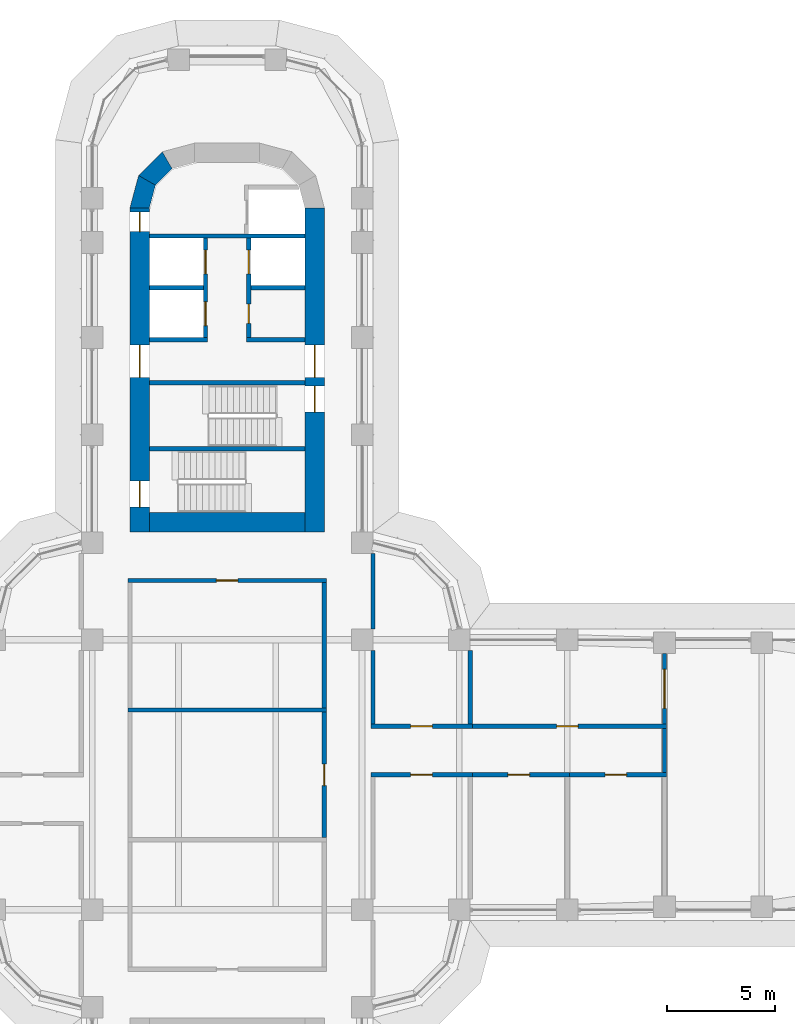
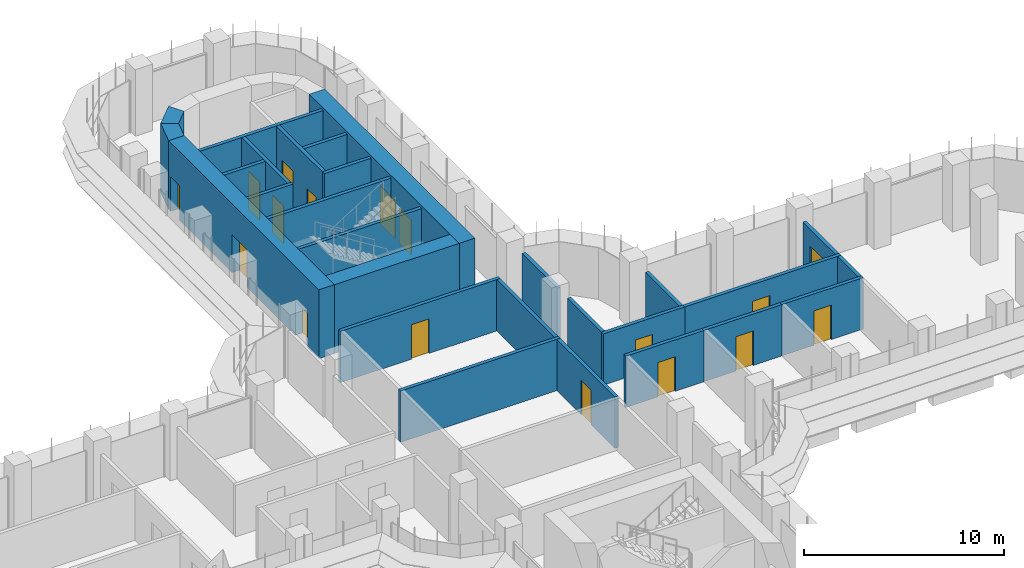
# One storey, part 18 of 23: 28 walls, 17 doors, 17 openings.
"""IFC4 building model written with IfcOpenShell, lengths in metres."""

from ifc_helpers import new_model, si_unit, direction, frame, frame_2d, origin, place, context, subcontext, project, spatial, polyline, rectangle, outline, extrude, material, layer, layer_set, type_object, element, fill, save


model = new_model("IFC4")

# Units and contexts
model_context = context("Model", 3, precision=1e-05, world=origin(), true_north=direction((0.0, 1.0)))
body_context = subcontext(model_context, "Body", "Model", "MODEL_VIEW")
ifc_project = project(units=[si_unit("LENGTHUNIT", "METRE"), si_unit("AREAUNIT", "SQUARE_METRE"), si_unit("VOLUMEUNIT", "CUBIC_METRE"), si_unit("PLANEANGLEUNIT", "RADIAN"), si_unit("MASSUNIT", "GRAM", prefix="KILO")], contexts=[model_context])

# Site, building, storey
site_placement = place(None, origin())
site = spatial("IfcSite", under=ifc_project, at=site_placement, CompositionType="ELEMENT")
building_placement = place(site_placement, origin())
building = spatial("IfcBuilding", under=site, at=building_placement, Name="Zarbagh Exchange Tower", CompositionType="ELEMENT")
storey_placement = place(building_placement, frame((0.0, 0.0, 35.39990234375)))
storey = spatial("IfcBuildingStorey", under=building, at=storey_placement, Name="L07", CompositionType="ELEMENT", Elevation=35.39990234375)

# Wall
ifc_material_1 = material(Name="Fire-rated plasterboard partition")
ifc_layer_1 = layer(ifc_material_1, 0.199951171875)
ifc_layer_set_1 = layer_set([ifc_layer_1], Name="RATED PARTITION 200")
wall_type_1 = type_object("IfcWallType", Name="RATED PARTITION 200", PredefinedType="PARTITIONING", material=ifc_layer_set_1)
wall_1_placement = place(storey_placement, frame((4.5, 3.10009765625, 0.0), z_axis=(0.0, 0.0, 1.0), x_axis=(0.0, 1.0, 0.0)))
element("IfcWall", 1, at=wall_1_placement, inside=storey, type_object=wall_type_1, Name="Partition W-208", PredefinedType="PARTITIONING", context=body_context, shape_type="SweptSolid", body=[
    extrude(rectangle(XDim=5.7998046875, YDim=0.199951171875, at=frame_2d((2.89990234375, 0.0))), origin(), (0.0, 0.0, 1.0), 3.130615234375),
])

# Wall, opening, door
wall_2_placement = place(storey_placement, frame((4.5, -2.89990234375, 0.0), z_axis=(0.0, 0.0, 1.0), x_axis=(0.0, 1.0, 0.0)))
wall_2 = element("IfcWall", 2, at=wall_2_placement, inside=storey, type_object=wall_type_1, Name="Partition W-209", PredefinedType="PARTITIONING", context=body_context, shape_type="SweptSolid", body=[
    extrude(rectangle(XDim=5.7998046875, YDim=0.199951171875, at=frame_2d((2.89990234375, 0.0))), origin(), (0.0, 0.0, 1.0), 3.130615234375),
])
opening_1_placement = place(wall_2_placement, frame((2.39990234375, 0.0, 0.0)))
opening_1 = element("IfcOpeningElement", 3, at=opening_1_placement, cuts=wall_2, Name="Opening D-201", PredefinedType="OPENING", context=body_context, shape_type="SweptSolid", body=[
    extrude(rectangle(XDim=1.0, YDim=2.10009765625, at=frame_2d((0.5, 1.050048828125))), frame((0.0, 0.10986328125, 0.0), z_axis=(0.0, -1.0, 0.0), x_axis=(1.0, 0.0, 0.0)), (0.0, 0.0, 1.0), 0.219970703125),
])
ifc_material_2 = material(Name="Steel door set", Category="steel")
door_type_1 = type_object("IfcDoorType", Name="FIRE DOOR 1000 X 2100 FD30S", OperationType="NOTDEFINED", PredefinedType="DOOR", material=ifc_material_2)
door_1_placement = place(opening_1_placement, origin())
door_1 = element("IfcDoor", 4, at=door_1_placement, inside=storey, type_object=door_type_1, Name="Door D-201", OperationType="SINGLE_SWING_RIGHT", OverallHeight=2.10009765625, OverallWidth=1.0, PredefinedType="DOOR", context=body_context, shape_type="SweptSolid", body=[
    extrude(rectangle(XDim=1.0, YDim=2.10009765625, at=frame_2d((0.5, 1.050048828125))), frame((0.0, 0.02490234375, 0.0), z_axis=(0.0, -1.0, 0.0), x_axis=(1.0, 0.0, 0.0)), (0.0, 0.0, 1.0), 0.050048828125),
])
fill(opening_1, door_1)

# Walls
wall_3_placement = place(storey_placement, frame((6.75, 2.35009765625, 0.0), z_axis=(0.0, 0.0, 1.0), x_axis=(0.0, 1.0, 0.0)))
element("IfcWall", 5, at=wall_3_placement, inside=storey, type_object=wall_type_1, Name="Partition W-211", PredefinedType="PARTITIONING", context=body_context, shape_type="SweptSolid", body=[
    extrude(rectangle(XDim=3.39990234375, YDim=0.199951171875, at=frame_2d((1.699951171875, 0.0))), origin(), (0.0, 0.0, 1.0), 3.130615234375),
])
wall_4_placement = place(storey_placement, frame((6.75, 6.75, 0.0), z_axis=(0.0, 0.0, 1.0), x_axis=(0.0, 1.0, 0.0)))
element("IfcWall", 6, at=wall_4_placement, inside=storey, type_object=wall_type_1, Name="Partition W-212", PredefinedType="PARTITIONING", context=body_context, shape_type="SweptSolid", body=[
    extrude(rectangle(XDim=3.5, YDim=0.199951171875, at=frame_2d((1.75, 0.0))), origin(), (0.0, 0.0, 1.0), 3.130615234375),
])

# Wall, opening, door
wall_5_placement = place(storey_placement, frame((4.60009765625, 9.0, 0.0), z_axis=(0.0, 0.0, 1.0), x_axis=(-1.0, 0.0, 0.0)))
wall_5 = element("IfcWall", 7, at=wall_5_placement, inside=storey, type_object=wall_type_1, Name="Partition W-215", PredefinedType="PARTITIONING", context=body_context, shape_type="SweptSolid", body=[
    extrude(rectangle(XDim=9.2001953125, YDim=0.199951171875, at=frame_2d((4.60009765625, 0.0))), origin(), (0.0, 0.0, 1.0), 3.130615234375),
])
opening_2_placement = place(wall_5_placement, frame((4.10009765625, 0.0, 0.0)))
opening_2 = element("IfcOpeningElement", 8, at=opening_2_placement, cuts=wall_5, Name="Opening D-202", PredefinedType="OPENING", context=body_context, shape_type="SweptSolid", body=[
    extrude(rectangle(XDim=1.0, YDim=2.10009765625, at=frame_2d((0.5, 1.050048828125))), frame((0.0, 0.10986328125, 0.0), z_axis=(0.0, -1.0, 0.0), x_axis=(1.0, 0.0, 0.0)), (0.0, 0.0, 1.0), 0.219970703125),
])
door_2_placement = place(opening_2_placement, origin())
door_2 = element("IfcDoor", 9, at=door_2_placement, inside=storey, type_object=door_type_1, Name="Door D-202", OperationType="SINGLE_SWING_RIGHT", OverallHeight=2.10009765625, OverallWidth=1.0, PredefinedType="DOOR", context=body_context, shape_type="SweptSolid", body=[
    extrude(rectangle(XDim=1.0, YDim=2.10009765625, at=frame_2d((0.5, 1.050048828125))), frame((0.0, 0.02490234375, 0.0), z_axis=(0.0, -1.0, 0.0), x_axis=(1.0, 0.0, 0.0)), (0.0, 0.0, 1.0), 0.050048828125),
])
fill(opening_2, door_2)

# Wall
wall_6_placement = place(storey_placement, frame((-4.60009765625, 3.0, 0.0), z_axis=(0.0, 0.0, 1.0), x_axis=(1.0, 0.0, 0.0)))
element("IfcWall", 10, at=wall_6_placement, inside=storey, type_object=wall_type_1, Name="Partition W-217", PredefinedType="PARTITIONING", context=body_context, shape_type="SweptSolid", body=[
    extrude(rectangle(XDim=9.2001953125, YDim=0.199951171875, at=frame_2d((4.60009765625, 0.0))), origin(), (0.0, 0.0, 1.0), 3.130615234375),
])

# Wall, opening, door
wall_7_placement = place(storey_placement, frame((6.64990234375, 2.25, 0.0), z_axis=(0.0, 0.0, 1.0), x_axis=(1.0, 0.0, 0.0)))
wall_7 = element("IfcWall", 11, at=wall_7_placement, inside=storey, type_object=wall_type_1, Name="Partition W-219", PredefinedType="PARTITIONING", context=body_context, shape_type="SweptSolid", body=[
    extrude(rectangle(XDim=4.7001953125, YDim=0.199951171875, at=frame_2d((2.35009765625, 0.0))), origin(), (0.0, 0.0, 1.0), 3.130615234375),
])
opening_3_placement = place(wall_7_placement, frame((1.85009765625, 0.0, 0.0)))
opening_3 = element("IfcOpeningElement", 12, at=opening_3_placement, cuts=wall_7, Name="Opening D-205", PredefinedType="OPENING", context=body_context, shape_type="SweptSolid", body=[
    extrude(rectangle(XDim=1.0, YDim=2.10009765625, at=frame_2d((0.5, 1.050048828125))), frame((0.0, 0.10986328125, 0.0), z_axis=(0.0, -1.0, 0.0), x_axis=(1.0, 0.0, 0.0)), (0.0, 0.0, 1.0), 0.219970703125),
])
door_3_placement = place(opening_3_placement, origin())
door_3 = element("IfcDoor", 13, at=door_3_placement, inside=storey, type_object=door_type_1, Name="Door D-205", OperationType="SINGLE_SWING_RIGHT", OverallHeight=2.10009765625, OverallWidth=1.0, PredefinedType="DOOR", context=body_context, shape_type="SweptSolid", body=[
    extrude(rectangle(XDim=1.0, YDim=2.10009765625, at=frame_2d((0.5, 1.050048828125))), frame((0.0, 0.02490234375, 0.0), z_axis=(0.0, -1.0, 0.0), x_axis=(1.0, 0.0, 0.0)), (0.0, 0.0, 1.0), 0.050048828125),
])
fill(opening_3, door_3)

wall_8_placement = place(storey_placement, frame((11.35009765625, 0.0, 0.0), z_axis=(0.0, 0.0, 1.0), x_axis=(-1.0, 0.0, 0.0)))
wall_8 = element("IfcWall", 14, at=wall_8_placement, inside=storey, type_object=wall_type_1, Name="Partition W-220", PredefinedType="PARTITIONING", context=body_context, shape_type="SweptSolid", body=[
    extrude(rectangle(XDim=4.7001953125, YDim=0.199951171875, at=frame_2d((2.35009765625, 0.0))), origin(), (0.0, 0.0, 1.0), 3.130615234375),
])
opening_4_placement = place(wall_8_placement, frame((1.85009765625, 0.0, 0.0)))
opening_4 = element("IfcOpeningElement", 15, at=opening_4_placement, cuts=wall_8, Name="Opening D-207", PredefinedType="OPENING", context=body_context, shape_type="SweptSolid", body=[
    extrude(rectangle(XDim=1.0, YDim=2.10009765625, at=frame_2d((0.5, 1.050048828125))), frame((0.0, 0.10986328125, 0.0), z_axis=(0.0, -1.0, 0.0), x_axis=(1.0, 0.0, 0.0)), (0.0, 0.0, 1.0), 0.219970703125),
])
door_4_placement = place(opening_4_placement, origin())
door_4 = element("IfcDoor", 16, at=door_4_placement, inside=storey, type_object=door_type_1, Name="Door D-207", OperationType="SINGLE_SWING_RIGHT", OverallHeight=2.10009765625, OverallWidth=1.0, PredefinedType="DOOR", context=body_context, shape_type="SweptSolid", body=[
    extrude(rectangle(XDim=1.0, YDim=2.10009765625, at=frame_2d((0.5, 1.050048828125))), frame((0.0, 0.02490234375, 0.0), z_axis=(0.0, -1.0, 0.0), x_axis=(1.0, 0.0, 0.0)), (0.0, 0.0, 1.0), 0.050048828125),
])
fill(opening_4, door_4)

wall_9_placement = place(storey_placement, frame((11.14990234375, 2.25, 0.0), z_axis=(0.0, 0.0, 1.0), x_axis=(1.0, 0.0, 0.0)))
wall_9 = element("IfcWall", 17, at=wall_9_placement, inside=storey, type_object=wall_type_1, Name="Partition W-221", PredefinedType="PARTITIONING", context=body_context, shape_type="SweptSolid", body=[
    extrude(rectangle(XDim=9.2001953125, YDim=0.199951171875, at=frame_2d((4.60009765625, 0.0))), origin(), (0.0, 0.0, 1.0), 3.130615234375),
])
opening_5_placement = place(wall_9_placement, frame((4.10009765625, 0.0, 0.0)))
opening_5 = element("IfcOpeningElement", 18, at=opening_5_placement, cuts=wall_9, Name="Opening D-206", PredefinedType="OPENING", context=body_context, shape_type="SweptSolid", body=[
    extrude(rectangle(XDim=1.0, YDim=2.10009765625, at=frame_2d((0.5, 1.050048828125))), frame((0.0, 0.10986328125, 0.0), z_axis=(0.0, -1.0, 0.0), x_axis=(1.0, 0.0, 0.0)), (0.0, 0.0, 1.0), 0.219970703125),
])
door_5_placement = place(opening_5_placement, origin())
door_5 = element("IfcDoor", 19, at=door_5_placement, inside=storey, type_object=door_type_1, Name="Door D-206", OperationType="SINGLE_SWING_LEFT", OverallHeight=2.10009765625, OverallWidth=1.0, PredefinedType="DOOR", context=body_context, shape_type="SweptSolid", body=[
    extrude(rectangle(XDim=1.0, YDim=2.10009765625, at=frame_2d((0.5, 1.050048828125))), frame((0.0, 0.02490234375, 0.0), z_axis=(0.0, -1.0, 0.0), x_axis=(1.0, 0.0, 0.0)), (0.0, 0.0, 1.0), 0.050048828125),
])
fill(opening_5, door_5)

wall_10_placement = place(storey_placement, frame((15.85009765625, 0.0, 0.0), z_axis=(0.0, 0.0, 1.0), x_axis=(-1.0, 0.0, 0.0)))
wall_10 = element("IfcWall", 20, at=wall_10_placement, inside=storey, type_object=wall_type_1, Name="Partition W-222", PredefinedType="PARTITIONING", context=body_context, shape_type="SweptSolid", body=[
    extrude(rectangle(XDim=4.7001953125, YDim=0.199951171875, at=frame_2d((2.35009765625, 0.0))), origin(), (0.0, 0.0, 1.0), 3.130615234375),
])
opening_6_placement = place(wall_10_placement, frame((1.85009765625, 0.0, 0.0)))
opening_6 = element("IfcOpeningElement", 21, at=opening_6_placement, cuts=wall_10, Name="Opening D-208", PredefinedType="OPENING", context=body_context, shape_type="SweptSolid", body=[
    extrude(rectangle(XDim=1.0, YDim=2.10009765625, at=frame_2d((0.5, 1.050048828125))), frame((0.0, 0.10986328125, 0.0), z_axis=(0.0, -1.0, 0.0), x_axis=(1.0, 0.0, 0.0)), (0.0, 0.0, 1.0), 0.219970703125),
])
door_6_placement = place(opening_6_placement, origin())
door_6 = element("IfcDoor", 22, at=door_6_placement, inside=storey, type_object=door_type_1, Name="Door D-208", OperationType="SINGLE_SWING_RIGHT", OverallHeight=2.10009765625, OverallWidth=1.0, PredefinedType="DOOR", context=body_context, shape_type="SweptSolid", body=[
    extrude(rectangle(XDim=1.0, YDim=2.10009765625, at=frame_2d((0.5, 1.050048828125))), frame((0.0, 0.02490234375, 0.0), z_axis=(0.0, -1.0, 0.0), x_axis=(1.0, 0.0, 0.0)), (0.0, 0.0, 1.0), 0.050048828125),
])
fill(opening_6, door_6)

wall_11_placement = place(storey_placement, frame((20.35009765625, 0.0, 0.0), z_axis=(0.0, 0.0, 1.0), x_axis=(-1.0, 0.0, 0.0)))
wall_11 = element("IfcWall", 23, at=wall_11_placement, inside=storey, type_object=wall_type_1, Name="Partition W-223", PredefinedType="PARTITIONING", context=body_context, shape_type="SweptSolid", body=[
    extrude(rectangle(XDim=4.7001953125, YDim=0.199951171875, at=frame_2d((2.35009765625, 0.0))), origin(), (0.0, 0.0, 1.0), 3.130615234375),
])
opening_7_placement = place(wall_11_placement, frame((1.85009765625, 0.0, 0.0)))
opening_7 = element("IfcOpeningElement", 24, at=opening_7_placement, cuts=wall_11, Name="Opening D-209", PredefinedType="OPENING", context=body_context, shape_type="SweptSolid", body=[
    extrude(rectangle(XDim=1.0, YDim=2.10009765625, at=frame_2d((0.5, 1.050048828125))), frame((0.0, 0.10986328125, 0.0), z_axis=(0.0, -1.0, 0.0), x_axis=(1.0, 0.0, 0.0)), (0.0, 0.0, 1.0), 0.219970703125),
])
door_7_placement = place(opening_7_placement, origin())
door_7 = element("IfcDoor", 25, at=door_7_placement, inside=storey, type_object=door_type_1, Name="Door D-209", OperationType="SINGLE_SWING_RIGHT", OverallHeight=2.10009765625, OverallWidth=1.0, PredefinedType="DOOR", context=body_context, shape_type="SweptSolid", body=[
    extrude(rectangle(XDim=1.0, YDim=2.10009765625, at=frame_2d((0.5, 1.050048828125))), frame((0.0, 0.02490234375, 0.0), z_axis=(0.0, -1.0, 0.0), x_axis=(1.0, 0.0, 0.0)), (0.0, 0.0, 1.0), 0.050048828125),
])
fill(opening_7, door_7)

# Walls
wall_12_placement = place(storey_placement, frame((20.25, 0.10009765625, 0.0), z_axis=(0.0, 0.0, 1.0), x_axis=(0.0, 1.0, 0.0)))
element("IfcWall", 26, at=wall_12_placement, inside=storey, type_object=wall_type_1, Name="Partition W-224", PredefinedType="PARTITIONING", context=body_context, shape_type="SweptSolid", body=[
    extrude(rectangle(XDim=2.0498046875, YDim=0.199951171875, at=frame_2d((1.02490234375, 0.0))), origin(), (0.0, 0.0, 1.0), 3.130615234375),
])
wall_13_placement = place(storey_placement, frame((11.25, 2.35009765625, 0.0), z_axis=(0.0, 0.0, 1.0), x_axis=(0.0, 1.0, 0.0)))
element("IfcWall", 27, at=wall_13_placement, inside=storey, type_object=wall_type_1, Name="Partition W-225", PredefinedType="PARTITIONING", context=body_context, shape_type="SweptSolid", body=[
    extrude(rectangle(XDim=3.39990234375, YDim=0.199951171875, at=frame_2d((1.699951171875, 0.0))), origin(), (0.0, 0.0, 1.0), 3.130615234375),
])

# Wall, opening, door
wall_14_placement = place(storey_placement, frame((20.25, 5.610107421875, 0.0), z_axis=(0.0, 0.0, 1.0), x_axis=(0.0, -1.0, 0.0)))
wall_14 = element("IfcWall", 28, at=wall_14_placement, inside=storey, type_object=wall_type_1, Name="Partition W-227", PredefinedType="PARTITIONING", context=body_context, shape_type="SweptSolid", body=[
    extrude(rectangle(XDim=3.260009765625, YDim=0.199951171875, at=frame_2d((1.6298828125, 0.0))), origin(), (0.0, 0.0, 1.0), 3.130615234375),
])
opening_8_placement = place(wall_14_placement, frame((0.72998046875, 0.0, 0.0)))
opening_8 = element("IfcOpeningElement", 29, at=opening_8_placement, cuts=wall_14, Name="Opening D-204", PredefinedType="OPENING", context=body_context, shape_type="SweptSolid", body=[
    extrude(rectangle(XDim=1.800048828125, YDim=2.10009765625, at=frame_2d((0.89990234375, 1.050048828125))), frame((0.0, 0.10986328125, 0.0), z_axis=(0.0, -1.0, 0.0), x_axis=(1.0, 0.0, 0.0)), (0.0, 0.0, 1.0), 0.219970703125),
])
door_type_2 = type_object("IfcDoorType", Name="FIRE DOUBLE DOOR 1800 X 2100 FD30S", OperationType="DOUBLE_DOOR_SINGLE_SWING", PredefinedType="DOOR", material=ifc_material_2)
door_8_placement = place(opening_8_placement, origin())
door_8 = element("IfcDoor", 30, at=door_8_placement, inside=storey, type_object=door_type_2, Name="Door D-204", OperationType="DOUBLE_DOOR_SINGLE_SWING", OverallHeight=2.10009765625, OverallWidth=1.800048828125, PredefinedType="DOOR", context=body_context, shape_type="SweptSolid", body=[
    extrude(rectangle(XDim=1.800048828125, YDim=2.10009765625, at=frame_2d((0.89990234375, 1.050048828125))), frame((0.0, 0.02490234375, 0.0), z_axis=(0.0, -1.0, 0.0), x_axis=(1.0, 0.0, 0.0)), (0.0, 0.0, 1.0), 0.050048828125),
])
fill(opening_8, door_8)

# Walls
ifc_material_3 = material(Name="Concrete C60/75", Category="concrete")
ifc_layer_2 = layer(ifc_material_3, 0.89990234375)
ifc_layer_set_2 = layer_set([ifc_layer_2], Name="RC core corner wall 900 C60/75")
wall_type_2 = type_object("IfcWallType", Name="RC core corner wall 900 C60/75", PredefinedType="SHEAR", material=ifc_layer_set_2)
wall_15_placement = place(storey_placement, origin())
element("IfcWall", 31, at=wall_15_placement, inside=storey, type_object=wall_type_2, Name="CW2 core N corner W", PredefinedType="SHEAR", context=body_context, shape_type="SweptSolid", body=[
    extrude(outline(polyline([(-4.5, 26.25), (-4.09814453125, 27.75), (-3.318603515625, 27.300048828125), (-3.60009765625, 26.25), (-4.5, 26.25)])), origin(), (0.0, 0.0, 1.0), 4.2001953125),
])
wall_16_placement = place(storey_placement, origin())
element("IfcWall", 32, at=wall_16_placement, inside=storey, type_object=wall_type_2, Name="CW2 core N corner W", PredefinedType="SHEAR", context=body_context, shape_type="SweptSolid", body=[
    extrude(outline(polyline([(-4.09814453125, 27.75), (-3.0, 28.84814453125), (-2.550048828125, 28.068603515625), (-3.318603515625, 27.300048828125), (-4.09814453125, 27.75)])), origin(), (0.0, 0.0, 1.0), 4.2001953125),
])

# Wall, openings, doors
ifc_layer_3 = layer(ifc_material_3, 0.89990234375)
ifc_layer_set_3 = layer_set([ifc_layer_3], Name="RC core wall 900 C60/75")
wall_type_3 = type_object("IfcWallType", Name="RC core wall 900 C60/75", PredefinedType="SHEAR", material=ifc_layer_set_3)
wall_17_placement = place(storey_placement, frame((-4.050048828125, 11.25, 0.0), z_axis=(0.0, 0.0, 1.0), x_axis=(0.0, 1.0, 0.0)))
wall_17 = element("IfcWall", 33, at=wall_17_placement, inside=storey, type_object=wall_type_3, Name="CW1 core N W", PredefinedType="SHEAR", context=body_context, shape_type="SweptSolid", body=[
    extrude(rectangle(XDim=15.0, YDim=0.89990234375, at=frame_2d((7.5, 0.0))), origin(), (0.0, 0.0, 1.0), 4.2001953125),
])
opening_9_placement = place(wall_17_placement, frame((7.14990234375, 0.0, 0.0)))
opening_9 = element("IfcOpeningElement", 34, at=opening_9_placement, cuts=wall_17, Name="Opening CD1-1500", PredefinedType="OPENING", context=body_context, shape_type="SweptSolid", body=[
    extrude(rectangle(XDim=1.5, YDim=2.300048828125, at=frame_2d((0.75, 1.14990234375))), frame((0.0, 0.4599609375, 0.0), z_axis=(0.0, -1.0, 0.0), x_axis=(1.0, 0.0, 0.0)), (0.0, 0.0, 1.0), 0.919921875),
])
opening_10_placement = place(wall_17_placement, frame((13.89990234375, 0.0, 0.0)))
opening_10 = element("IfcOpeningElement", 35, at=opening_10_placement, cuts=wall_17, Name="Opening CD2-900", PredefinedType="OPENING", context=body_context, shape_type="SweptSolid", body=[
    extrude(rectangle(XDim=0.89990234375, YDim=2.10009765625, at=frame_2d((0.449951171875, 1.050048828125))), frame((0.0, 0.4599609375, 0.0), z_axis=(0.0, -1.0, 0.0), x_axis=(1.0, 0.0, 0.0)), (0.0, 0.0, 1.0), 0.919921875),
])
opening_11_placement = place(wall_17_placement, frame((1.14990234375, 0.0, 0.0)))
opening_11 = element("IfcOpeningElement", 36, at=opening_11_placement, cuts=wall_17, Name="Opening SD1-1200", PredefinedType="OPENING", context=body_context, shape_type="SweptSolid", body=[
    extrude(rectangle(XDim=1.199951171875, YDim=2.10009765625, at=frame_2d((0.60009765625, 1.050048828125))), frame((0.0, 0.4599609375, 0.0), z_axis=(0.0, -1.0, 0.0), x_axis=(1.0, 0.0, 0.0)), (0.0, 0.0, 1.0), 0.919921875),
])
ifc_material_4 = material(Name="Steel", Category="steel")
door_type_3 = type_object("IfcDoorType", Name="Exit stair door 1200 x 2100", OperationType="NOTDEFINED", PredefinedType="DOOR", material=ifc_material_4)
door_9_placement = place(opening_11_placement, origin())
door_9 = element("IfcDoor", 37, at=door_9_placement, inside=storey, type_object=door_type_3, Name="North core stair door ST2", OperationType="SINGLE_SWING_LEFT", OverallHeight=2.10009765625, OverallWidth=1.199951171875, PredefinedType="DOOR", context=body_context, shape_type="SweptSolid", body=[
    extrude(rectangle(XDim=1.199951171875, YDim=2.10009765625, at=frame_2d((0.60009765625, 1.050048828125))), frame((0.0, 0.02490234375, 0.0), z_axis=(0.0, -1.0, 0.0), x_axis=(1.0, 0.0, 0.0)), (0.0, 0.0, 1.0), 0.050048828125),
])
fill(opening_11, door_9)
door_type_4 = type_object("IfcDoorType", Name="Firefighting lobby door 900 x 2100", OperationType="NOTDEFINED", PredefinedType="DOOR", material=ifc_material_4)
door_10_placement = place(opening_10_placement, origin())
door_10 = element("IfcDoor", 38, at=door_10_placement, inside=storey, type_object=door_type_4, Name="North core firefighting lobby door FF-W", OperationType="SINGLE_SWING_RIGHT", OverallHeight=2.10009765625, OverallWidth=0.89990234375, PredefinedType="DOOR", context=body_context, shape_type="SweptSolid", body=[
    extrude(rectangle(XDim=0.89990234375, YDim=2.10009765625, at=frame_2d((0.449951171875, 1.050048828125))), frame((0.0, 0.02490234375, 0.0), z_axis=(0.0, -1.0, 0.0), x_axis=(1.0, 0.0, 0.0)), (0.0, 0.0, 1.0), 0.050048828125),
])
fill(opening_10, door_10)
door_type_5 = type_object("IfcDoorType", Name="Lift lobby double door 1500 x 2300", OperationType="NOTDEFINED", PredefinedType="DOOR", material=ifc_material_4)
door_11_placement = place(opening_9_placement, origin())
door_11 = element("IfcDoor", 39, at=door_11_placement, inside=storey, type_object=door_type_5, Name="North core lift lobby door LOBBY-W", OperationType="DOUBLE_DOOR_SINGLE_SWING", OverallHeight=2.300048828125, OverallWidth=1.5, PredefinedType="DOOR", context=body_context, shape_type="SweptSolid", body=[
    extrude(rectangle(XDim=1.5, YDim=2.300048828125, at=frame_2d((0.75, 1.14990234375))), frame((0.0, 0.02490234375, 0.0), z_axis=(0.0, -1.0, 0.0), x_axis=(1.0, 0.0, 0.0)), (0.0, 0.0, 1.0), 0.050048828125),
])
fill(opening_9, door_11)

wall_18_placement = place(storey_placement, frame((4.050048828125, 11.25, 0.0), z_axis=(0.0, 0.0, 1.0), x_axis=(0.0, 1.0, 0.0)))
wall_18 = element("IfcWall", 40, at=wall_18_placement, inside=storey, type_object=wall_type_3, Name="CW1 core N E", PredefinedType="SHEAR", context=body_context, shape_type="SweptSolid", body=[
    extrude(rectangle(XDim=15.0, YDim=0.89990234375, at=frame_2d((7.5, 0.0))), origin(), (0.0, 0.0, 1.0), 4.2001953125),
])
opening_12_placement = place(wall_18_placement, frame((7.14990234375, 0.0, 0.0)))
opening_12 = element("IfcOpeningElement", 41, at=opening_12_placement, cuts=wall_18, Name="Opening CD1-1500", PredefinedType="OPENING", context=body_context, shape_type="SweptSolid", body=[
    extrude(rectangle(XDim=1.5, YDim=2.300048828125, at=frame_2d((0.75, 1.14990234375))), frame((0.0, 0.4599609375, 0.0), z_axis=(0.0, -1.0, 0.0), x_axis=(1.0, 0.0, 0.0)), (0.0, 0.0, 1.0), 0.919921875),
])
opening_13_placement = place(wall_18_placement, frame((5.550048828125, 0.0, 0.0)))
opening_13 = element("IfcOpeningElement", 42, at=opening_13_placement, cuts=wall_18, Name="Opening SD1-1200", PredefinedType="OPENING", context=body_context, shape_type="SweptSolid", body=[
    extrude(rectangle(XDim=1.199951171875, YDim=2.10009765625, at=frame_2d((0.60009765625, 1.050048828125))), frame((0.0, 0.4599609375, 0.0), z_axis=(0.0, -1.0, 0.0), x_axis=(1.0, 0.0, 0.0)), (0.0, 0.0, 1.0), 0.919921875),
])
door_12_placement = place(opening_13_placement, origin())
door_12 = element("IfcDoor", 43, at=door_12_placement, inside=storey, type_object=door_type_3, Name="North core stair door ST1", OperationType="SINGLE_SWING_LEFT", OverallHeight=2.10009765625, OverallWidth=1.199951171875, PredefinedType="DOOR", context=body_context, shape_type="SweptSolid", body=[
    extrude(rectangle(XDim=1.199951171875, YDim=2.10009765625, at=frame_2d((0.60009765625, 1.050048828125))), frame((0.0, 0.02490234375, 0.0), z_axis=(0.0, -1.0, 0.0), x_axis=(1.0, 0.0, 0.0)), (0.0, 0.0, 1.0), 0.050048828125),
])
fill(opening_13, door_12)
door_13_placement = place(opening_12_placement, origin())
door_13 = element("IfcDoor", 44, at=door_13_placement, inside=storey, type_object=door_type_5, Name="North core lift lobby door LOBBY-E", OperationType="DOUBLE_DOOR_SINGLE_SWING", OverallHeight=2.300048828125, OverallWidth=1.5, PredefinedType="DOOR", context=body_context, shape_type="SweptSolid", body=[
    extrude(rectangle(XDim=1.5, YDim=2.300048828125, at=frame_2d((0.75, 1.14990234375))), frame((0.0, 0.02490234375, 0.0), z_axis=(0.0, -1.0, 0.0), x_axis=(1.0, 0.0, 0.0)), (0.0, 0.0, 1.0), 0.050048828125),
])
fill(opening_12, door_13)

# Walls
wall_19_placement = place(storey_placement, frame((-3.60009765625, 11.699951171875, 0.0), z_axis=(0.0, 0.0, 1.0), x_axis=(1.0, 0.0, 0.0)))
element("IfcWall", 45, at=wall_19_placement, inside=storey, type_object=wall_type_3, Name="CW1 core N inner end", PredefinedType="SHEAR", context=body_context, shape_type="SweptSolid", body=[
    extrude(rectangle(XDim=7.2001953125, YDim=0.89990234375, at=frame_2d((3.60009765625, 0.0))), origin(), (0.0, 0.0, 1.0), 4.2001953125),
])
ifc_material_5 = material(Name="Dense blockwork", Category="masonry")
ifc_layer_4 = layer(ifc_material_5, 0.199951171875)
ifc_layer_set_4 = layer_set([ifc_layer_4], Name="Shaft wall 200 mm blockwork")
wall_type_4 = type_object("IfcWallType", Name="Shaft wall 200 mm blockwork", PredefinedType="PARTITIONING", material=ifc_layer_set_4)
wall_20_placement = place(storey_placement, frame((-3.60009765625, 20.14990234375, 0.0), z_axis=(0.0, 0.0, 1.0), x_axis=(1.0, 0.0, 0.0)))
element("IfcWall", 46, at=wall_20_placement, inside=storey, type_object=wall_type_4, Name="North core shaft wall AB-W", PredefinedType="PARTITIONING", context=body_context, shape_type="SweptSolid", body=[
    extrude(rectangle(XDim=2.7001953125, YDim=0.199951171875, at=frame_2d((1.35009765625, 0.0))), origin(), (0.0, 0.0, 1.0), 4.050048828125),
])

# Wall, openings, doors
wall_21_placement = place(storey_placement, frame((-1.0, 24.85009765625, 0.0), z_axis=(0.0, 0.0, 1.0), x_axis=(0.0, -1.0, 0.0)))
wall_21 = element("IfcWall", 47, at=wall_21_placement, inside=storey, type_object=wall_type_4, Name="North core shaft wall LW-W", PredefinedType="PARTITIONING", context=body_context, shape_type="SweptSolid", body=[
    extrude(rectangle(XDim=4.60009765625, YDim=0.199951171875, at=frame_2d((2.300048828125, 0.0))), origin(), (0.0, 0.0, 1.0), 4.050048828125),
])
opening_14_placement = place(wall_21_placement, frame((0.550048828125, 0.0, 0.0)))
opening_14 = element("IfcOpeningElement", 48, at=opening_14_placement, cuts=wall_21, Name="Opening LD-1100", PredefinedType="OPENING", context=body_context, shape_type="SweptSolid", body=[
    extrude(rectangle(XDim=1.10009765625, YDim=2.300048828125, at=frame_2d((0.550048828125, 1.14990234375))), frame((0.0, 0.10986328125, 0.0), z_axis=(0.0, -1.0, 0.0), x_axis=(1.0, 0.0, 0.0)), (0.0, 0.0, 1.0), 0.219970703125),
])
opening_15_placement = place(wall_21_placement, frame((2.949951171875, 0.0, 0.0)))
opening_15 = element("IfcOpeningElement", 49, at=opening_15_placement, cuts=wall_21, Name="Opening LD-1100", PredefinedType="OPENING", context=body_context, shape_type="SweptSolid", body=[
    extrude(rectangle(XDim=1.10009765625, YDim=2.300048828125, at=frame_2d((0.550048828125, 1.14990234375))), frame((0.0, 0.10986328125, 0.0), z_axis=(0.0, -1.0, 0.0), x_axis=(1.0, 0.0, 0.0)), (0.0, 0.0, 1.0), 0.219970703125),
])
ifc_material_6 = material(Name="Stainless steel", Category="steel")
door_type_6 = type_object("IfcDoorType", Name="Lift landing door 1100 x 2300", OperationType="NOTDEFINED", PredefinedType="DOOR", material=ifc_material_6)
door_14_placement = place(opening_14_placement, origin())
door_14 = element("IfcDoor", 50, at=door_14_placement, inside=storey, type_object=door_type_6, Name="North core lift landing door LD-P-N1", OperationType="DOUBLE_DOOR_SLIDING", OverallHeight=2.300048828125, OverallWidth=1.10009765625, PredefinedType="DOOR", context=body_context, shape_type="SweptSolid", body=[
    extrude(rectangle(XDim=1.10009765625, YDim=2.300048828125, at=frame_2d((0.550048828125, 1.14990234375))), frame((0.0, 0.02490234375, 0.0), z_axis=(0.0, -1.0, 0.0), x_axis=(1.0, 0.0, 0.0)), (0.0, 0.0, 1.0), 0.050048828125),
])
fill(opening_14, door_14)
door_15_placement = place(opening_15_placement, origin())
door_15 = element("IfcDoor", 51, at=door_15_placement, inside=storey, type_object=door_type_6, Name="North core lift landing door LD-P-N2", OperationType="DOUBLE_DOOR_SLIDING", OverallHeight=2.300048828125, OverallWidth=1.10009765625, PredefinedType="DOOR", context=body_context, shape_type="SweptSolid", body=[
    extrude(rectangle(XDim=1.10009765625, YDim=2.300048828125, at=frame_2d((0.550048828125, 1.14990234375))), frame((0.0, 0.02490234375, 0.0), z_axis=(0.0, -1.0, 0.0), x_axis=(1.0, 0.0, 0.0)), (0.0, 0.0, 1.0), 0.050048828125),
])
fill(opening_15, door_15)

# Wall
wall_22_placement = place(storey_placement, frame((0.89990234375, 20.14990234375, 0.0), z_axis=(0.0, 0.0, 1.0), x_axis=(1.0, 0.0, 0.0)))
element("IfcWall", 52, at=wall_22_placement, inside=storey, type_object=wall_type_4, Name="North core shaft wall AB-E", PredefinedType="PARTITIONING", context=body_context, shape_type="SweptSolid", body=[
    extrude(rectangle(XDim=2.7001953125, YDim=0.199951171875, at=frame_2d((1.35009765625, 0.0))), origin(), (0.0, 0.0, 1.0), 4.050048828125),
])

# Wall, openings, doors
wall_23_placement = place(storey_placement, frame((1.0, 24.85009765625, 0.0), z_axis=(0.0, 0.0, 1.0), x_axis=(0.0, -1.0, 0.0)))
wall_23 = element("IfcWall", 53, at=wall_23_placement, inside=storey, type_object=wall_type_4, Name="North core shaft wall LW-E", PredefinedType="PARTITIONING", context=body_context, shape_type="SweptSolid", body=[
    extrude(rectangle(XDim=4.60009765625, YDim=0.199951171875, at=frame_2d((2.300048828125, 0.0))), origin(), (0.0, 0.0, 1.0), 4.050048828125),
])
opening_16_placement = place(wall_23_placement, frame((0.550048828125, 0.0, 0.0)))
opening_16 = element("IfcOpeningElement", 54, at=opening_16_placement, cuts=wall_23, Name="Opening LD-1100", PredefinedType="OPENING", context=body_context, shape_type="SweptSolid", body=[
    extrude(rectangle(XDim=1.10009765625, YDim=2.300048828125, at=frame_2d((0.550048828125, 1.14990234375))), frame((0.0, 0.10986328125, 0.0), z_axis=(0.0, -1.0, 0.0), x_axis=(1.0, 0.0, 0.0)), (0.0, 0.0, 1.0), 0.219970703125),
])
opening_17_placement = place(wall_23_placement, frame((3.050048828125, 0.0, 0.0)))
opening_17 = element("IfcOpeningElement", 55, at=opening_17_placement, cuts=wall_23, Name="Opening CD3-900", PredefinedType="OPENING", context=body_context, shape_type="SweptSolid", body=[
    extrude(rectangle(XDim=0.89990234375, YDim=2.10009765625, at=frame_2d((0.449951171875, 1.050048828125))), frame((0.0, 0.10986328125, 0.0), z_axis=(0.0, -1.0, 0.0), x_axis=(1.0, 0.0, 0.0)), (0.0, 0.0, 1.0), 0.219970703125),
])
door_type_7 = type_object("IfcDoorType", Name="Core room door 900 x 2100", OperationType="NOTDEFINED", PredefinedType="DOOR", material=ifc_material_4)
door_16_placement = place(opening_17_placement, origin())
door_16 = element("IfcDoor", 56, at=door_16_placement, inside=storey, type_object=door_type_7, Name="North core Accessible WC door RD-E-0", OperationType="SINGLE_SWING_LEFT", OverallHeight=2.10009765625, OverallWidth=0.89990234375, PredefinedType="DOOR", context=body_context, shape_type="SweptSolid", body=[
    extrude(rectangle(XDim=0.89990234375, YDim=2.10009765625, at=frame_2d((0.449951171875, 1.050048828125))), frame((0.0, 0.02490234375, 0.0), z_axis=(0.0, -1.0, 0.0), x_axis=(1.0, 0.0, 0.0)), (0.0, 0.0, 1.0), 0.050048828125),
])
fill(opening_17, door_16)
door_17_placement = place(opening_16_placement, origin())
door_17 = element("IfcDoor", 57, at=door_17_placement, inside=storey, type_object=door_type_6, Name="North core lift landing door LD-P-N3", OperationType="DOUBLE_DOOR_SLIDING", OverallHeight=2.300048828125, OverallWidth=1.10009765625, PredefinedType="DOOR", context=body_context, shape_type="SweptSolid", body=[
    extrude(rectangle(XDim=1.10009765625, YDim=2.300048828125, at=frame_2d((0.550048828125, 1.14990234375))), frame((0.0, 0.02490234375, 0.0), z_axis=(0.0, -1.0, 0.0), x_axis=(1.0, 0.0, 0.0)), (0.0, 0.0, 1.0), 0.050048828125),
])
fill(opening_16, door_17)

# Walls
for number, where, z_axis, x_axis, name in (
    (58, (-3.60009765625, 22.550048828125, 0.0), (0.0, 0.0, 1.0), (1.0, 0.0, 0.0), "North core shaft wall TR-W"),
    (59, (1.10009765625, 22.550048828125, 0.0), (0.0, 0.0, 1.0), (1.0, 0.0, 0.0), "North core shaft wall TR-E"),
):
    element("IfcWall", number, at=place(storey_placement, frame(where, z_axis=z_axis, x_axis=x_axis)), inside=storey, type_object=wall_type_4, Name=name, PredefinedType="PARTITIONING", context=body_context, shape_type="SweptSolid", body=[
        extrude(rectangle(XDim=2.5, YDim=0.199951171875, at=frame_2d((1.25, 0.0))), origin(), (0.0, 0.0, 1.0), 4.050048828125),
    ])
ifc_material_7 = material(Name="Concrete C40/50", Category="concrete")
ifc_layer_5 = layer(ifc_material_7, 0.199951171875)
ifc_layer_set_5 = layer_set([ifc_layer_5], Name="Stair enclosure wall 200 mm RC C40/50")
wall_type_5 = type_object("IfcWallType", Name="Stair enclosure wall 200 mm RC C40/50", PredefinedType="SHEAR", material=ifc_layer_set_5)
for number, where, z_axis, x_axis, name in (
    (60, (-3.60009765625, 24.949951171875, 0.0), (0.0, 0.0, 1.0), (1.0, 0.0, 0.0), "North core lift shaft wall FFA"),
    (61, (-3.60009765625, 18.14990234375, 0.0), (0.0, 0.0, 1.0), (1.0, 0.0, 0.0), "North core stair wall BS"),
    (62, (-3.60009765625, 15.10009765625, 0.0), (0.0, 0.0, 1.0), (1.0, 0.0, 0.0), "North core stair wall ST12"),
):
    element("IfcWall", number, at=place(storey_placement, frame(where, z_axis=z_axis, x_axis=x_axis)), inside=storey, type_object=wall_type_5, Name=name, PredefinedType="SHEAR", context=body_context, shape_type="SweptSolid", body=[
        extrude(rectangle(XDim=7.2001953125, YDim=0.199951171875, at=frame_2d((3.60009765625, 0.0))), origin(), (0.0, 0.0, 1.0), 4.050048828125),
    ])

save(model, "model.ifc")
